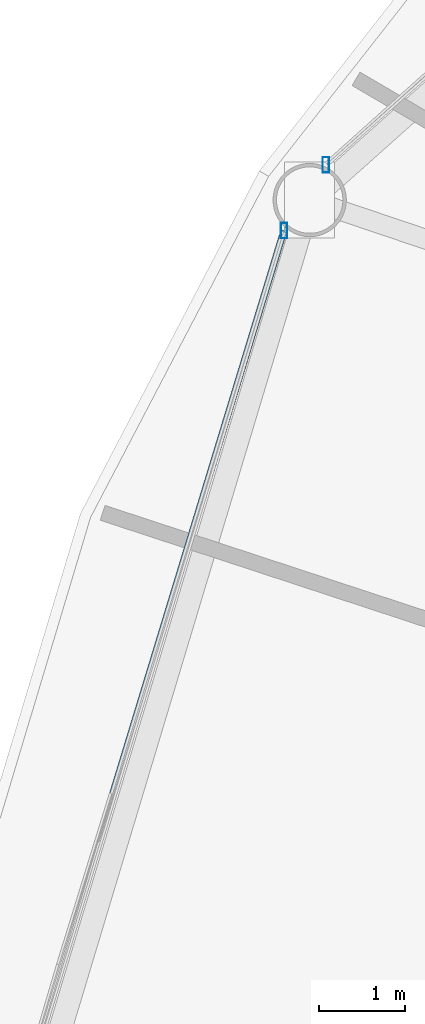
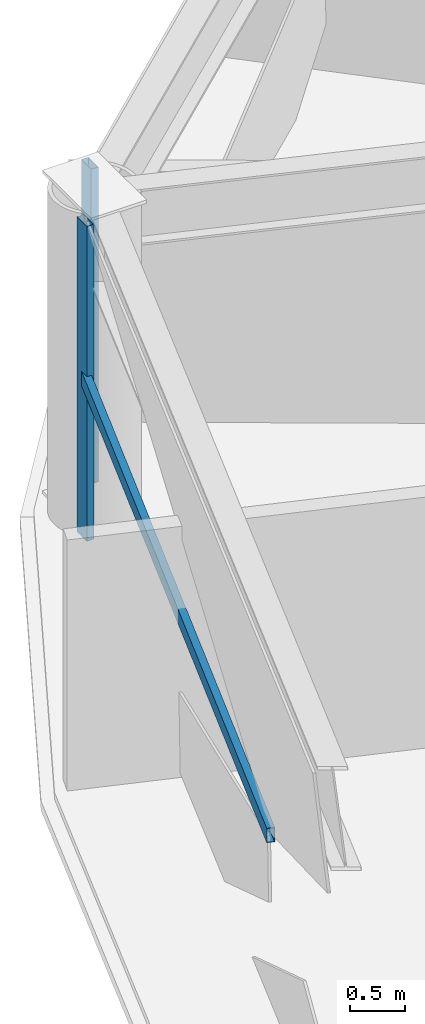
# One storey, part 13 of 30: 3 members, 2 elements without a shape of their own.
"""IFC4 building model written with IfcOpenShell, lengths in metres."""

from ifc_helpers import new_model, si_unit, direction, frame, origin, origin_2d, place, context, subcontext, project, spatial, hollow_rectangle, extrude, material, layer, layer_set, material_profile, profile_set, type_object, element, aggregate, save


model = new_model("IFC4")

# Units and contexts
model_context = context("Model", 3, precision=1e-05, world=origin(), true_north=direction((0.0, 1.0)))
body_context = subcontext(model_context, "Body", "Model", "MODEL_VIEW")
ifc_project = project(units=[si_unit("LENGTHUNIT", "METRE"), si_unit("AREAUNIT", "SQUARE_METRE"), si_unit("VOLUMEUNIT", "CUBIC_METRE"), si_unit("PLANEANGLEUNIT", "RADIAN"), si_unit("MASSUNIT", "GRAM", prefix="KILO")], contexts=[model_context])

# Site, building, storey
site_placement = place(None, origin())
site = spatial("IfcSite", under=ifc_project, at=site_placement, CompositionType="ELEMENT")
building_placement = place(site_placement, origin())
building = spatial("IfcBuilding", under=site, at=building_placement, Name="Vantalir Tower", CompositionType="ELEMENT")
storey_placement = place(building_placement, frame((0.0, 0.0, 83.25)))
storey = spatial("IfcBuildingStorey", under=building, at=storey_placement, Name="L20", CompositionType="ELEMENT", Elevation=83.25)

# Curtain wall, member
ifc_material_1 = material(Name="Champagne-silver PVDF aluminium and double-silver Low-E glass", Category="aluminium")
ifc_layer = layer(ifc_material_1, 0.18994140625)
ifc_layer_set = layer_set([ifc_layer], Name="Champagne-silver PVDF aluminium and double-silver Low-E glass")
curtain_wall_type = type_object("IfcCurtainWallType", Name="CW-DIAMOND-Z1", PredefinedType="USERDEFINED", material=ifc_layer_set)
curtain_wall_1_placement = place(storey_placement, origin())
curtain_wall_1 = element("IfcCurtainWall", 1, at=curtain_wall_1_placement, inside=storey, type_object=curtain_wall_type, Name="L20 Quilted Pyramid-Diamond Curtain Wall S05", ObjectType="UNITISED CURTAIN WALL", PredefinedType="USERDEFINED")
ifc_material_2 = material(Name="Champagne-silver PVDF aluminium 6063-T6", Category="aluminium")
ifc_material_profile_1 = material_profile(ifc_material_2, hollow_rectangle(XDim=0.074951171875, YDim=0.179931640625, WallThickness=0.00390625, at=origin_2d()), Name="Champagne-silver PVDF aluminium 6063-T6")
ifc_profile_set_1 = profile_set([ifc_material_profile_1], Name="Champagne-silver PVDF aluminium 6063-T6")
member_type_1 = type_object("IfcMemberType", Name="CWM-180x75", PredefinedType="MULLION", material=ifc_profile_set_1)
member_1_placement = place(storey_placement, frame((7.87109375, 37.655029296875, 0.044921875), z_axis=(0.0, 0.0, 1.0), x_axis=(1.0, 0.0, 0.0)))
member_1 = element("IfcMember", 2, at=member_1_placement, type_object=member_type_1, Name="CW-L20-S05 Mullion 2", PredefinedType="MULLION", context=body_context, shape_type="SweptSolid", body=[
    extrude(hollow_rectangle(XDim=0.074951171875, YDim=0.179931640625, WallThickness=0.00390625, at=origin_2d()), origin(), (0.0, 0.0, 1.0), 3.47998046875),
])
aggregate(curtain_wall_1, [member_1])

# Curtain wall, members
curtain_wall_2_placement = place(storey_placement, origin())
curtain_wall_2 = element("IfcCurtainWall", 3, at=curtain_wall_2_placement, inside=storey, type_object=curtain_wall_type, Name="L20 Quilted Pyramid-Diamond Curtain Wall S06", ObjectType="UNITISED CURTAIN WALL", PredefinedType="USERDEFINED")
member_2_placement = place(storey_placement, frame((7.385009765625, 36.89208984375, 0.044921875), z_axis=(0.0, 0.0, 1.0), x_axis=(1.0, 0.0, 0.0)))
member_2 = element("IfcMember", 4, at=member_2_placement, type_object=member_type_1, Name="CW-L20-S06 Mullion 1", PredefinedType="MULLION", context=body_context, shape_type="SweptSolid", body=[
    extrude(hollow_rectangle(XDim=0.074951171875, YDim=0.179931640625, WallThickness=0.00390625, at=origin_2d()), origin(), (0.0, 0.0, 1.0), 3.47998046875),
])
ifc_material_profile_2 = material_profile(ifc_material_2, hollow_rectangle(XDim=0.074951171875, YDim=0.159912109375, WallThickness=0.00390625, at=origin_2d()), Name="Champagne-silver PVDF aluminium 6063-T6")
ifc_profile_set_2 = profile_set([ifc_material_profile_2], Name="Champagne-silver PVDF aluminium 6063-T6")
member_type_2 = type_object("IfcMemberType", Name="CWT-160x75", PredefinedType="USERDEFINED", material=ifc_profile_set_2)
member_3_placement = place(storey_placement, frame((7.385009765625, 36.89208984375, 1.784912109375), z_axis=(-0.290933503403, -0.956743276223, 0.0), x_axis=(0.956743276223, -0.290933503403, 0.0)))
member_3 = element("IfcMember", 5, at=member_3_placement, type_object=member_type_2, Name="CW-L20-S06 Pyramid Fold Ridge Transom", ObjectType="TRANSOM", PredefinedType="USERDEFINED", context=body_context, shape_type="SweptSolid", body=[
    extrude(hollow_rectangle(XDim=0.074951171875, YDim=0.159912109375, WallThickness=0.00390625, at=origin_2d()), origin(), (0.0, 0.0, 1.0), 7.41064453125),
])
aggregate(curtain_wall_2, [member_2, member_3])

save(model, "model.ifc")
